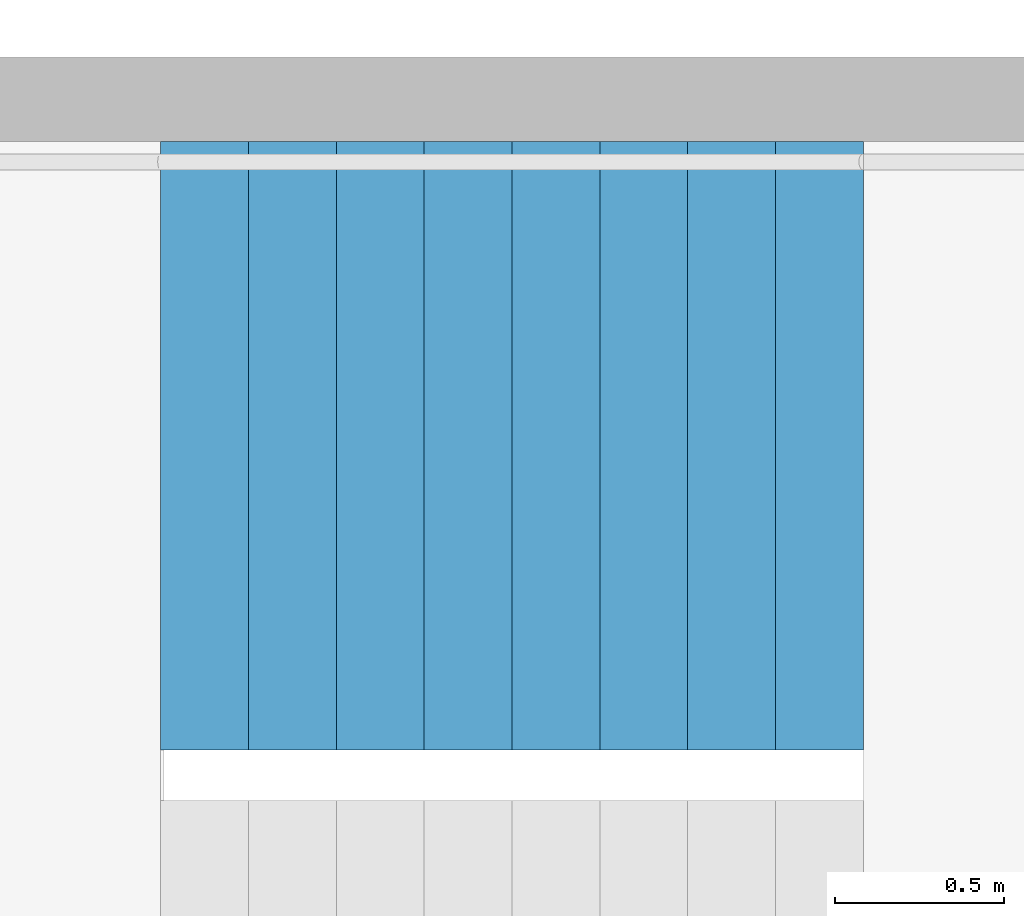
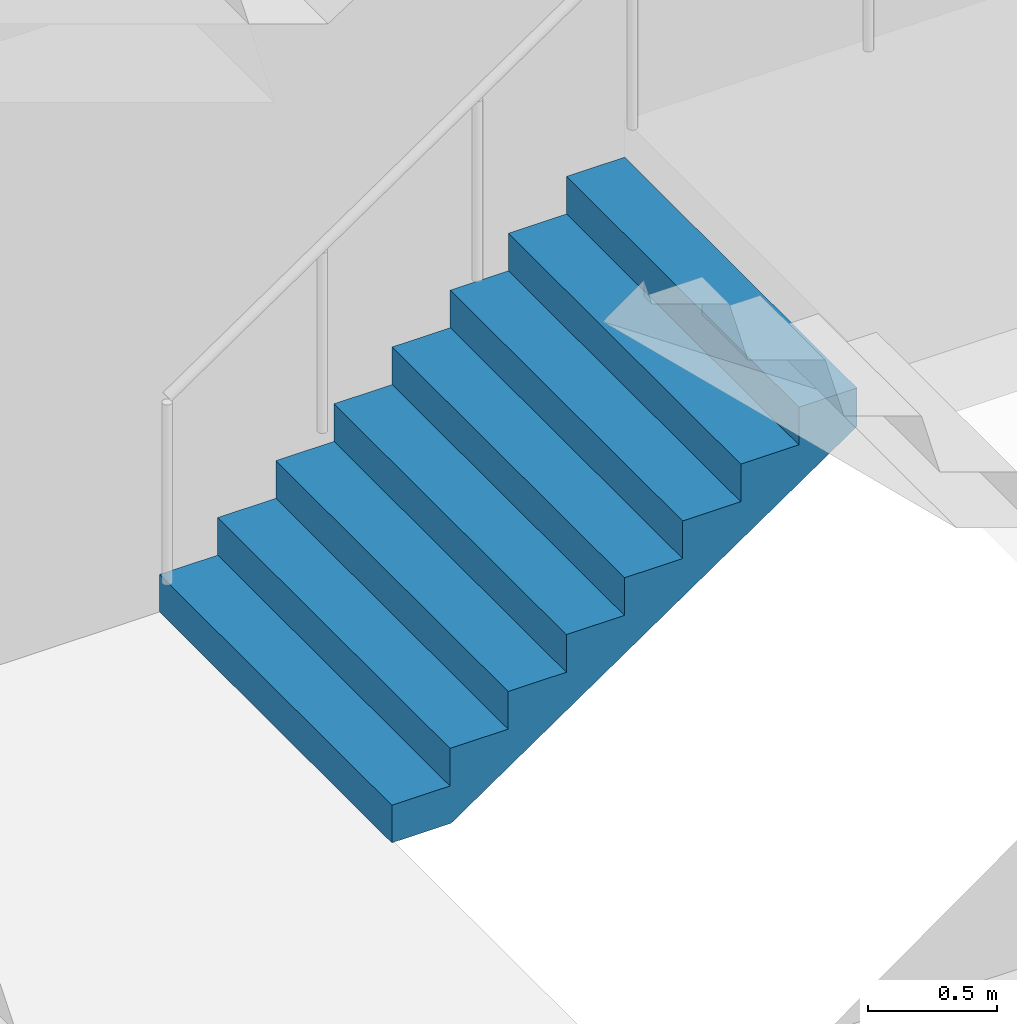
# One storey, part 27 of 44: 1 stair flight, 1 element without a shape of its own.
"""IFC4 building model written with IfcOpenShell, lengths in metres."""

from ifc_helpers import new_model, si_unit, direction, frame, origin, place, context, subcontext, project, spatial, triangles, material, type_object, element, aggregate, save


model = new_model("IFC4")

# Units and contexts
model_context = context("Model", 3, precision=1e-05, world=origin(), true_north=direction((0.0, 1.0)))
body_context = subcontext(model_context, "Body", "Model", "MODEL_VIEW")
ifc_project = project(units=[si_unit("LENGTHUNIT", "METRE"), si_unit("AREAUNIT", "SQUARE_METRE"), si_unit("VOLUMEUNIT", "CUBIC_METRE"), si_unit("PLANEANGLEUNIT", "RADIAN"), si_unit("MASSUNIT", "GRAM", prefix="KILO")], contexts=[model_context])

# Site, building, storey
site_placement = place(None, origin())
site = spatial("IfcSite", under=ifc_project, at=site_placement, CompositionType="ELEMENT")
building_placement = place(site_placement, origin())
building = spatial("IfcBuilding", under=site, at=building_placement, Name="Hakoniwa Tower and Hamabe Station Hall", CompositionType="ELEMENT")
storey_placement = place(building_placement, frame((0.0, 0.0, 69.0)))
storey = spatial("IfcBuildingStorey", under=building, at=storey_placement, Name="L19", CompositionType="ELEMENT", Elevation=69.0)

# Stair, stair flight
ifc_material_1 = material(Name="Concrete C40", Category="concrete")
stair_type = type_object("IfcStairType", Name="ESCAPE STAIR 1800", PredefinedType="HALF_TURN_STAIR", material=ifc_material_1)
stair_placement = place(storey_placement, origin())
stair = element("IfcStair", 1, at=stair_placement, inside=storey, type_object=stair_type, Name="Escape stair ST-4 L19", PredefinedType="HALF_TURN_STAIR")
ifc_material_2 = material(Name="Concrete C40", Category="concrete")
stair_flight_type = type_object("IfcStairFlightType", Name="STAIR FLIGHT 1800", PredefinedType="STRAIGHT", material=ifc_material_2)
stair_flight_placement = place(storey_placement, frame((23.39990234375, -4.64990234375, 0.0), z_axis=(0.0, 0.0, 1.0), x_axis=(1.0, 0.0, 0.0)))
stair_flight = element("IfcStairFlight", 2, at=stair_flight_placement, type_object=stair_flight_type, Name="ST-4 flight 1", NumberOfRisers=9, NumberOfTreads=8, PredefinedType="STRAIGHT", RiserHeight=0.177777778, TreadLength=0.26, context=body_context, shape_type="Tessellation", body=[
    triangles([(0.0, 0.89990234375, 0.0), (0.260009765625, 0.89990234375, 0.0), (0.265625, 0.89990234375, 0.0), (0.52001953125, 0.89990234375, 0.174072265625), (0.780029296875, 0.89990234375, 0.351806640625), (1.0400390625, 0.89990234375, 0.529541015625), (1.300048828125, 0.89990234375, 0.707275390625), (1.56005859375, 0.89990234375, 0.885009765625), (1.820068359375, 0.89990234375, 1.062744140625), (2.080078125, 0.89990234375, 1.24072265625), (2.080078125, 0.89990234375, 1.422119140625), (1.820068359375, 0.89990234375, 1.422119140625), (1.820068359375, 0.89990234375, 1.244384765625), (1.56005859375, 0.89990234375, 1.244384765625), (1.56005859375, 0.89990234375, 1.066650390625), (1.300048828125, 0.89990234375, 1.066650390625), (1.300048828125, 0.89990234375, 0.888916015625), (1.0400390625, 0.89990234375, 0.888916015625), (1.0400390625, 0.89990234375, 0.711181640625), (0.780029296875, 0.89990234375, 0.711181640625), (0.780029296875, 0.89990234375, 0.533447265625), (0.52001953125, 0.89990234375, 0.533447265625), (0.52001953125, 0.89990234375, 0.35546875), (0.265625, 0.89990234375, 0.35546875), (0.260009765625, 0.89990234375, 0.35546875), (0.260009765625, 0.89990234375, 0.177734375), (0.0, 0.89990234375, 0.177734375), (0.0, 0.06005859375, 0.0), (0.260009765625, 0.06005859375, 0.0), (0.265625, 0.06005859375, 0.0), (0.52001953125, 0.06005859375, 0.174072265625), (0.780029296875, 0.06005859375, 0.351806640625), (1.0400390625, 0.06005859375, 0.529541015625), (1.300048828125, 0.06005859375, 0.707275390625), (1.56005859375, 0.06005859375, 0.885009765625), (1.820068359375, 0.06005859375, 1.062744140625), (2.080078125, 0.06005859375, 1.24072265625), (2.080078125, 0.06005859375, 1.422119140625), (1.820068359375, 0.06005859375, 1.422119140625), (1.820068359375, 0.06005859375, 1.244384765625), (1.56005859375, 0.06005859375, 1.244384765625), (1.56005859375, 0.06005859375, 1.066650390625), (1.300048828125, 0.06005859375, 1.066650390625), (1.300048828125, 0.06005859375, 0.888916015625), (1.0400390625, 0.06005859375, 0.888916015625), (1.0400390625, 0.06005859375, 0.711181640625), (0.780029296875, 0.06005859375, 0.711181640625), (0.780029296875, 0.06005859375, 0.533447265625), (0.52001953125, 0.06005859375, 0.533447265625), (0.52001953125, 0.06005859375, 0.35546875), (0.265625, 0.06005859375, 0.35546875), (0.260009765625, 0.06005859375, 0.35546875), (0.260009765625, 0.06005859375, 0.177734375), (0.0, 0.06005859375, 0.177734375), (0.0, 0.04296875, 0.0), (0.260009765625, 0.04296875, 0.0), (0.265625, 0.04296875, 0.0), (0.52001953125, 0.04296875, 0.174072265625), (0.780029296875, 0.04296875, 0.351806640625), (1.0400390625, 0.04296875, 0.529541015625), (1.300048828125, 0.04296875, 0.707275390625), (1.56005859375, 0.04296875, 0.885009765625), (1.820068359375, 0.04296875, 1.062744140625), (2.080078125, 0.04296875, 1.24072265625), (2.080078125, 0.04296875, 1.422119140625), (1.820068359375, 0.04296875, 1.422119140625), (1.820068359375, 0.04296875, 1.244384765625), (1.56005859375, 0.04296875, 1.244384765625), (1.56005859375, 0.04296875, 1.066650390625), (1.300048828125, 0.04296875, 1.066650390625), (1.300048828125, 0.04296875, 0.888916015625), (1.0400390625, 0.04296875, 0.888916015625), (1.0400390625, 0.04296875, 0.711181640625), (0.780029296875, 0.04296875, 0.711181640625), (0.780029296875, 0.04296875, 0.533447265625), (0.52001953125, 0.04296875, 0.533447265625), (0.52001953125, 0.04296875, 0.35546875), (0.265625, 0.04296875, 0.35546875), (0.260009765625, 0.04296875, 0.35546875), (0.260009765625, 0.04296875, 0.177734375), (0.0, 0.04296875, 0.177734375), (0.0, 0.025634765625, 0.0), (0.260009765625, 0.025634765625, 0.0), (0.265625, 0.025634765625, 0.0), (0.52001953125, 0.025634765625, 0.174072265625), (0.780029296875, 0.025634765625, 0.351806640625), (1.0400390625, 0.025634765625, 0.529541015625), (1.300048828125, 0.025634765625, 0.707275390625), (1.56005859375, 0.025634765625, 0.885009765625), (1.820068359375, 0.025634765625, 1.062744140625), (2.080078125, 0.025634765625, 1.24072265625), (2.080078125, 0.025634765625, 1.422119140625), (1.820068359375, 0.025634765625, 1.422119140625), (1.820068359375, 0.025634765625, 1.244384765625), (1.56005859375, 0.025634765625, 1.244384765625), (1.56005859375, 0.025634765625, 1.066650390625), (1.300048828125, 0.025634765625, 1.066650390625), (1.300048828125, 0.025634765625, 0.888916015625), (1.0400390625, 0.025634765625, 0.888916015625), (1.0400390625, 0.025634765625, 0.711181640625), (0.780029296875, 0.025634765625, 0.711181640625), (0.780029296875, 0.025634765625, 0.533447265625), (0.52001953125, 0.025634765625, 0.533447265625), (0.52001953125, 0.025634765625, 0.35546875), (0.265625, 0.025634765625, 0.35546875), (0.260009765625, 0.025634765625, 0.35546875), (0.260009765625, 0.025634765625, 0.177734375), (0.0, 0.025634765625, 0.177734375), (0.0, 0.008544921875, 0.0), (0.260009765625, 0.008544921875, 0.0), (0.265625, 0.008544921875, 0.0), (0.52001953125, 0.008544921875, 0.174072265625), (0.780029296875, 0.008544921875, 0.351806640625), (1.0400390625, 0.008544921875, 0.529541015625), (1.300048828125, 0.008544921875, 0.707275390625), (1.56005859375, 0.008544921875, 0.885009765625), (1.820068359375, 0.008544921875, 1.062744140625), (2.080078125, 0.008544921875, 1.24072265625), (2.080078125, 0.008544921875, 1.422119140625), (1.820068359375, 0.008544921875, 1.422119140625), (1.820068359375, 0.008544921875, 1.244384765625), (1.56005859375, 0.008544921875, 1.244384765625), (1.56005859375, 0.008544921875, 1.066650390625), (1.300048828125, 0.008544921875, 1.066650390625), (1.300048828125, 0.008544921875, 0.888916015625), (1.0400390625, 0.008544921875, 0.888916015625), (1.0400390625, 0.008544921875, 0.711181640625), (0.780029296875, 0.008544921875, 0.711181640625), (0.780029296875, 0.008544921875, 0.533447265625), (0.52001953125, 0.008544921875, 0.533447265625), (0.52001953125, 0.008544921875, 0.35546875), (0.265625, 0.008544921875, 0.35546875), (0.260009765625, 0.008544921875, 0.35546875), (0.260009765625, 0.008544921875, 0.177734375), (0.0, 0.008544921875, 0.177734375), (0.0, -0.008544921875, 0.0), (0.260009765625, -0.008544921875, 0.0), (0.265625, -0.008544921875, 0.0), (0.52001953125, -0.008544921875, 0.174072265625), (0.780029296875, -0.008544921875, 0.351806640625), (1.0400390625, -0.008544921875, 0.529541015625), (1.300048828125, -0.008544921875, 0.707275390625), (1.56005859375, -0.008544921875, 0.885009765625), (1.820068359375, -0.008544921875, 1.062744140625), (2.080078125, -0.008544921875, 1.24072265625), (2.080078125, -0.008544921875, 1.422119140625), (1.820068359375, -0.008544921875, 1.422119140625), (1.820068359375, -0.008544921875, 1.244384765625), (1.56005859375, -0.008544921875, 1.244384765625), (1.56005859375, -0.008544921875, 1.066650390625), (1.300048828125, -0.008544921875, 1.066650390625), (1.300048828125, -0.008544921875, 0.888916015625), (1.0400390625, -0.008544921875, 0.888916015625), (1.0400390625, -0.008544921875, 0.711181640625), (0.780029296875, -0.008544921875, 0.711181640625), (0.780029296875, -0.008544921875, 0.533447265625), (0.52001953125, -0.008544921875, 0.533447265625), (0.52001953125, -0.008544921875, 0.35546875), (0.265625, -0.008544921875, 0.35546875), (0.260009765625, -0.008544921875, 0.35546875), (0.260009765625, -0.008544921875, 0.177734375), (0.0, -0.008544921875, 0.177734375), (0.0, -0.025634765625, 0.0), (0.260009765625, -0.025634765625, 0.0), (0.265625, -0.025634765625, 0.0), (0.52001953125, -0.025634765625, 0.174072265625), (0.780029296875, -0.025634765625, 0.351806640625), (1.0400390625, -0.025634765625, 0.529541015625), (1.300048828125, -0.025634765625, 0.707275390625), (1.56005859375, -0.025634765625, 0.885009765625), (1.820068359375, -0.025634765625, 1.062744140625), (2.080078125, -0.025634765625, 1.24072265625), (2.080078125, -0.025634765625, 1.422119140625), (1.820068359375, -0.025634765625, 1.422119140625), (1.820068359375, -0.025634765625, 1.244384765625), (1.56005859375, -0.025634765625, 1.244384765625), (1.56005859375, -0.025634765625, 1.066650390625), (1.300048828125, -0.025634765625, 1.066650390625), (1.300048828125, -0.025634765625, 0.888916015625), (1.0400390625, -0.025634765625, 0.888916015625), (1.0400390625, -0.025634765625, 0.711181640625), (0.780029296875, -0.025634765625, 0.711181640625), (0.780029296875, -0.025634765625, 0.533447265625), (0.52001953125, -0.025634765625, 0.533447265625), (0.52001953125, -0.025634765625, 0.35546875), (0.265625, -0.025634765625, 0.35546875), (0.260009765625, -0.025634765625, 0.35546875), (0.260009765625, -0.025634765625, 0.177734375), (0.0, -0.025634765625, 0.177734375), (0.0, -0.04296875, 0.0), (0.260009765625, -0.04296875, 0.0), (0.265625, -0.04296875, 0.0), (0.52001953125, -0.04296875, 0.174072265625), (0.780029296875, -0.04296875, 0.351806640625), (1.0400390625, -0.04296875, 0.529541015625), (1.300048828125, -0.04296875, 0.707275390625), (1.56005859375, -0.04296875, 0.885009765625), (1.820068359375, -0.04296875, 1.062744140625), (2.080078125, -0.04296875, 1.24072265625), (2.080078125, -0.04296875, 1.422119140625), (1.820068359375, -0.04296875, 1.422119140625), (1.820068359375, -0.04296875, 1.244384765625), (1.56005859375, -0.04296875, 1.244384765625), (1.56005859375, -0.04296875, 1.066650390625), (1.300048828125, -0.04296875, 1.066650390625), (1.300048828125, -0.04296875, 0.888916015625), (1.0400390625, -0.04296875, 0.888916015625), (1.0400390625, -0.04296875, 0.711181640625), (0.780029296875, -0.04296875, 0.711181640625), (0.780029296875, -0.04296875, 0.533447265625), (0.52001953125, -0.04296875, 0.533447265625), (0.52001953125, -0.04296875, 0.35546875), (0.265625, -0.04296875, 0.35546875), (0.260009765625, -0.04296875, 0.35546875), (0.260009765625, -0.04296875, 0.177734375), (0.0, -0.04296875, 0.177734375), (0.0, -0.06005859375, 0.0), (0.260009765625, -0.06005859375, 0.0), (0.265625, -0.06005859375, 0.0), (0.52001953125, -0.06005859375, 0.174072265625), (0.780029296875, -0.06005859375, 0.351806640625), (1.0400390625, -0.06005859375, 0.529541015625), (1.300048828125, -0.06005859375, 0.707275390625), (1.56005859375, -0.06005859375, 0.885009765625), (1.820068359375, -0.06005859375, 1.062744140625), (2.080078125, -0.06005859375, 1.24072265625), (2.080078125, -0.06005859375, 1.422119140625), (1.820068359375, -0.06005859375, 1.422119140625), (1.820068359375, -0.06005859375, 1.244384765625), (1.56005859375, -0.06005859375, 1.244384765625), (1.56005859375, -0.06005859375, 1.066650390625), (1.300048828125, -0.06005859375, 1.066650390625), (1.300048828125, -0.06005859375, 0.888916015625), (1.0400390625, -0.06005859375, 0.888916015625), (1.0400390625, -0.06005859375, 0.711181640625), (0.780029296875, -0.06005859375, 0.711181640625), (0.780029296875, -0.06005859375, 0.533447265625), (0.52001953125, -0.06005859375, 0.533447265625), (0.52001953125, -0.06005859375, 0.35546875), (0.265625, -0.06005859375, 0.35546875), (0.260009765625, -0.06005859375, 0.35546875), (0.260009765625, -0.06005859375, 0.177734375), (0.0, -0.06005859375, 0.177734375), (0.0, -0.89990234375, 0.0), (0.260009765625, -0.89990234375, 0.0), (0.265625, -0.89990234375, 0.0), (0.52001953125, -0.89990234375, 0.174072265625), (0.780029296875, -0.89990234375, 0.351806640625), (1.0400390625, -0.89990234375, 0.529541015625), (1.300048828125, -0.89990234375, 0.707275390625), (1.56005859375, -0.89990234375, 0.885009765625), (1.820068359375, -0.89990234375, 1.062744140625), (2.080078125, -0.89990234375, 1.24072265625), (2.080078125, -0.89990234375, 1.422119140625), (1.820068359375, -0.89990234375, 1.422119140625), (1.820068359375, -0.89990234375, 1.244384765625), (1.56005859375, -0.89990234375, 1.244384765625), (1.56005859375, -0.89990234375, 1.066650390625), (1.300048828125, -0.89990234375, 1.066650390625), (1.300048828125, -0.89990234375, 0.888916015625), (1.0400390625, -0.89990234375, 0.888916015625), (1.0400390625, -0.89990234375, 0.711181640625), (0.780029296875, -0.89990234375, 0.711181640625), (0.780029296875, -0.89990234375, 0.533447265625), (0.52001953125, -0.89990234375, 0.533447265625), (0.52001953125, -0.89990234375, 0.35546875), (0.265625, -0.89990234375, 0.35546875), (0.260009765625, -0.89990234375, 0.35546875), (0.260009765625, -0.89990234375, 0.177734375), (0.0, -0.89990234375, 0.177734375)], [[2, 27, 26], [245, 269, 270], [2, 1, 27], [245, 270, 244], [3, 25, 24], [246, 267, 268], [3, 26, 25], [246, 268, 269], [3, 2, 26], [246, 269, 245], [4, 24, 23], [247, 266, 267], [4, 3, 24], [247, 267, 246], [5, 22, 21], [248, 264, 265], [5, 23, 22], [248, 265, 266], [5, 4, 23], [248, 266, 247], [6, 20, 19], [249, 262, 263], [6, 21, 20], [249, 263, 264], [6, 5, 21], [249, 264, 248], [7, 18, 17], [250, 260, 261], [7, 19, 18], [250, 261, 262], [7, 6, 19], [250, 262, 249], [8, 16, 15], [251, 258, 259], [8, 17, 16], [251, 259, 260], [8, 7, 17], [251, 260, 250], [9, 14, 13], [252, 256, 257], [9, 15, 14], [252, 257, 258], [9, 8, 15], [252, 258, 251], [10, 12, 11], [253, 254, 255], [10, 13, 12], [253, 255, 256], [10, 9, 13], [253, 256, 252], [1, 2, 29], [1, 29, 28], [28, 29, 56], [28, 56, 55], [55, 56, 83], [55, 83, 82], [82, 83, 110], [82, 110, 109], [109, 110, 137], [109, 137, 136], [136, 137, 164], [136, 164, 163], [163, 164, 191], [163, 191, 190], [190, 191, 218], [190, 218, 217], [217, 218, 245], [217, 245, 244], [2, 3, 30], [2, 30, 29], [29, 30, 57], [29, 57, 56], [56, 57, 84], [56, 84, 83], [83, 84, 111], [83, 111, 110], [110, 111, 138], [110, 138, 137], [137, 138, 165], [137, 165, 164], [164, 165, 192], [164, 192, 191], [191, 192, 219], [191, 219, 218], [218, 219, 246], [218, 246, 245], [3, 4, 31], [3, 31, 30], [30, 31, 58], [30, 58, 57], [57, 58, 85], [57, 85, 84], [84, 85, 112], [84, 112, 111], [111, 112, 139], [111, 139, 138], [138, 139, 166], [138, 166, 165], [165, 166, 193], [165, 193, 192], [192, 193, 220], [192, 220, 219], [219, 220, 247], [219, 247, 246], [4, 5, 32], [4, 32, 31], [31, 32, 59], [31, 59, 58], [58, 59, 86], [58, 86, 85], [85, 86, 113], [85, 113, 112], [112, 113, 140], [112, 140, 139], [139, 140, 167], [139, 167, 166], [166, 167, 194], [166, 194, 193], [193, 194, 221], [193, 221, 220], [220, 221, 248], [220, 248, 247], [5, 6, 33], [5, 33, 32], [32, 33, 60], [32, 60, 59], [59, 60, 87], [59, 87, 86], [86, 87, 114], [86, 114, 113], [113, 114, 141], [113, 141, 140], [140, 141, 168], [140, 168, 167], [167, 168, 195], [167, 195, 194], [194, 195, 222], [194, 222, 221], [221, 222, 249], [221, 249, 248], [6, 7, 34], [6, 34, 33], [33, 34, 61], [33, 61, 60], [60, 61, 88], [60, 88, 87], [87, 88, 115], [87, 115, 114], [114, 115, 142], [114, 142, 141], [141, 142, 169], [141, 169, 168], [168, 169, 196], [168, 196, 195], [195, 196, 223], [195, 223, 222], [222, 223, 250], [222, 250, 249], [7, 8, 35], [7, 35, 34], [34, 35, 62], [34, 62, 61], [61, 62, 89], [61, 89, 88], [88, 89, 116], [88, 116, 115], [115, 116, 143], [115, 143, 142], [142, 143, 170], [142, 170, 169], [169, 170, 197], [169, 197, 196], [196, 197, 224], [196, 224, 223], [223, 224, 251], [223, 251, 250], [8, 9, 36], [8, 36, 35], [35, 36, 63], [35, 63, 62], [62, 63, 90], [62, 90, 89], [89, 90, 117], [89, 117, 116], [116, 117, 144], [116, 144, 143], [143, 144, 171], [143, 171, 170], [170, 171, 198], [170, 198, 197], [197, 198, 225], [197, 225, 224], [224, 225, 252], [224, 252, 251], [9, 10, 37], [9, 37, 36], [36, 37, 64], [36, 64, 63], [63, 64, 91], [63, 91, 90], [90, 91, 118], [90, 118, 117], [117, 118, 145], [117, 145, 144], [144, 145, 172], [144, 172, 171], [171, 172, 199], [171, 199, 198], [198, 199, 226], [198, 226, 225], [225, 226, 253], [225, 253, 252], [10, 11, 38], [10, 38, 37], [37, 38, 65], [37, 65, 64], [64, 65, 92], [64, 92, 91], [91, 92, 119], [91, 119, 118], [118, 119, 146], [118, 146, 145], [145, 146, 173], [145, 173, 172], [172, 173, 200], [172, 200, 199], [199, 200, 227], [199, 227, 226], [226, 227, 254], [226, 254, 253], [11, 12, 39], [11, 39, 38], [38, 39, 66], [38, 66, 65], [65, 66, 93], [65, 93, 92], [92, 93, 120], [92, 120, 119], [119, 120, 147], [119, 147, 146], [146, 147, 174], [146, 174, 173], [173, 174, 201], [173, 201, 200], [200, 201, 228], [200, 228, 227], [227, 228, 255], [227, 255, 254], [12, 13, 40], [12, 40, 39], [39, 40, 67], [39, 67, 66], [66, 67, 94], [66, 94, 93], [93, 94, 121], [93, 121, 120], [120, 121, 148], [120, 148, 147], [147, 148, 175], [147, 175, 174], [174, 175, 202], [174, 202, 201], [201, 202, 229], [201, 229, 228], [228, 229, 256], [228, 256, 255], [13, 14, 41], [13, 41, 40], [40, 41, 68], [40, 68, 67], [67, 68, 95], [67, 95, 94], [94, 95, 122], [94, 122, 121], [121, 122, 149], [121, 149, 148], [148, 149, 176], [148, 176, 175], [175, 176, 203], [175, 203, 202], [202, 203, 230], [202, 230, 229], [229, 230, 257], [229, 257, 256], [14, 15, 42], [14, 42, 41], [41, 42, 69], [41, 69, 68], [68, 69, 96], [68, 96, 95], [95, 96, 123], [95, 123, 122], [122, 123, 150], [122, 150, 149], [149, 150, 177], [149, 177, 176], [176, 177, 204], [176, 204, 203], [203, 204, 231], [203, 231, 230], [230, 231, 258], [230, 258, 257], [15, 16, 43], [15, 43, 42], [42, 43, 70], [42, 70, 69], [69, 70, 97], [69, 97, 96], [96, 97, 124], [96, 124, 123], [123, 124, 151], [123, 151, 150], [150, 151, 178], [150, 178, 177], [177, 178, 205], [177, 205, 204], [204, 205, 232], [204, 232, 231], [231, 232, 259], [231, 259, 258], [16, 17, 44], [16, 44, 43], [43, 44, 71], [43, 71, 70], [70, 71, 98], [70, 98, 97], [97, 98, 125], [97, 125, 124], [124, 125, 152], [124, 152, 151], [151, 152, 179], [151, 179, 178], [178, 179, 206], [178, 206, 205], [205, 206, 233], [205, 233, 232], [232, 233, 260], [232, 260, 259], [17, 18, 45], [17, 45, 44], [44, 45, 72], [44, 72, 71], [71, 72, 99], [71, 99, 98], [98, 99, 126], [98, 126, 125], [125, 126, 153], [125, 153, 152], [152, 153, 180], [152, 180, 179], [179, 180, 207], [179, 207, 206], [206, 207, 234], [206, 234, 233], [233, 234, 261], [233, 261, 260], [18, 19, 46], [18, 46, 45], [45, 46, 73], [45, 73, 72], [72, 73, 100], [72, 100, 99], [99, 100, 127], [99, 127, 126], [126, 127, 154], [126, 154, 153], [153, 154, 181], [153, 181, 180], [180, 181, 208], [180, 208, 207], [207, 208, 235], [207, 235, 234], [234, 235, 262], [234, 262, 261], [19, 20, 47], [19, 47, 46], [46, 47, 74], [46, 74, 73], [73, 74, 101], [73, 101, 100], [100, 101, 128], [100, 128, 127], [127, 128, 155], [127, 155, 154], [154, 155, 182], [154, 182, 181], [181, 182, 209], [181, 209, 208], [208, 209, 236], [208, 236, 235], [235, 236, 263], [235, 263, 262], [20, 21, 48], [20, 48, 47], [47, 48, 75], [47, 75, 74], [74, 75, 102], [74, 102, 101], [101, 102, 129], [101, 129, 128], [128, 129, 156], [128, 156, 155], [155, 156, 183], [155, 183, 182], [182, 183, 210], [182, 210, 209], [209, 210, 237], [209, 237, 236], [236, 237, 264], [236, 264, 263], [21, 22, 49], [21, 49, 48], [48, 49, 76], [48, 76, 75], [75, 76, 103], [75, 103, 102], [102, 103, 130], [102, 130, 129], [129, 130, 157], [129, 157, 156], [156, 157, 184], [156, 184, 183], [183, 184, 211], [183, 211, 210], [210, 211, 238], [210, 238, 237], [237, 238, 265], [237, 265, 264], [22, 23, 50], [22, 50, 49], [49, 50, 77], [49, 77, 76], [76, 77, 104], [76, 104, 103], [103, 104, 131], [103, 131, 130], [130, 131, 158], [130, 158, 157], [157, 158, 185], [157, 185, 184], [184, 185, 212], [184, 212, 211], [211, 212, 239], [211, 239, 238], [238, 239, 266], [238, 266, 265], [23, 24, 51], [23, 51, 50], [50, 51, 78], [50, 78, 77], [77, 78, 105], [77, 105, 104], [104, 105, 132], [104, 132, 131], [131, 132, 159], [131, 159, 158], [158, 159, 186], [158, 186, 185], [185, 186, 213], [185, 213, 212], [212, 213, 240], [212, 240, 239], [239, 240, 267], [239, 267, 266], [24, 25, 52], [24, 52, 51], [51, 52, 79], [51, 79, 78], [78, 79, 106], [78, 106, 105], [105, 106, 133], [105, 133, 132], [132, 133, 160], [132, 160, 159], [159, 160, 187], [159, 187, 186], [186, 187, 214], [186, 214, 213], [213, 214, 241], [213, 241, 240], [240, 241, 268], [240, 268, 267], [25, 26, 53], [25, 53, 52], [52, 53, 80], [52, 80, 79], [79, 80, 107], [79, 107, 106], [106, 107, 134], [106, 134, 133], [133, 134, 161], [133, 161, 160], [160, 161, 188], [160, 188, 187], [187, 188, 215], [187, 215, 214], [214, 215, 242], [214, 242, 241], [241, 242, 269], [241, 269, 268], [26, 27, 54], [26, 54, 53], [53, 54, 81], [53, 81, 80], [80, 81, 108], [80, 108, 107], [107, 108, 135], [107, 135, 134], [134, 135, 162], [134, 162, 161], [161, 162, 189], [161, 189, 188], [188, 189, 216], [188, 216, 215], [215, 216, 243], [215, 243, 242], [242, 243, 270], [242, 270, 269], [27, 1, 28], [27, 28, 54], [54, 28, 55], [54, 55, 81], [81, 55, 82], [81, 82, 108], [108, 82, 109], [108, 109, 135], [135, 109, 136], [135, 136, 162], [162, 136, 163], [162, 163, 189], [189, 163, 190], [189, 190, 216], [216, 190, 217], [216, 217, 243], [243, 217, 244], [243, 244, 270]], closed=True),
])
aggregate(stair, [stair_flight])

save(model, "model.ifc")
